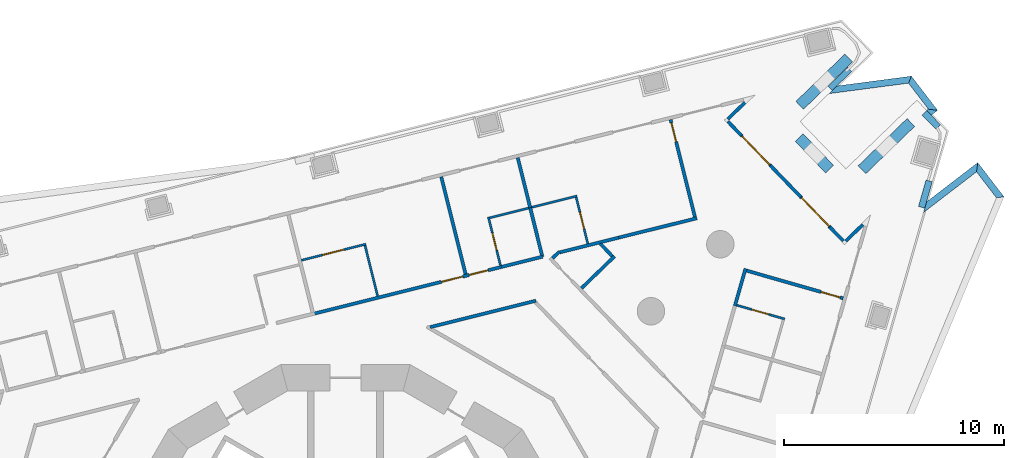
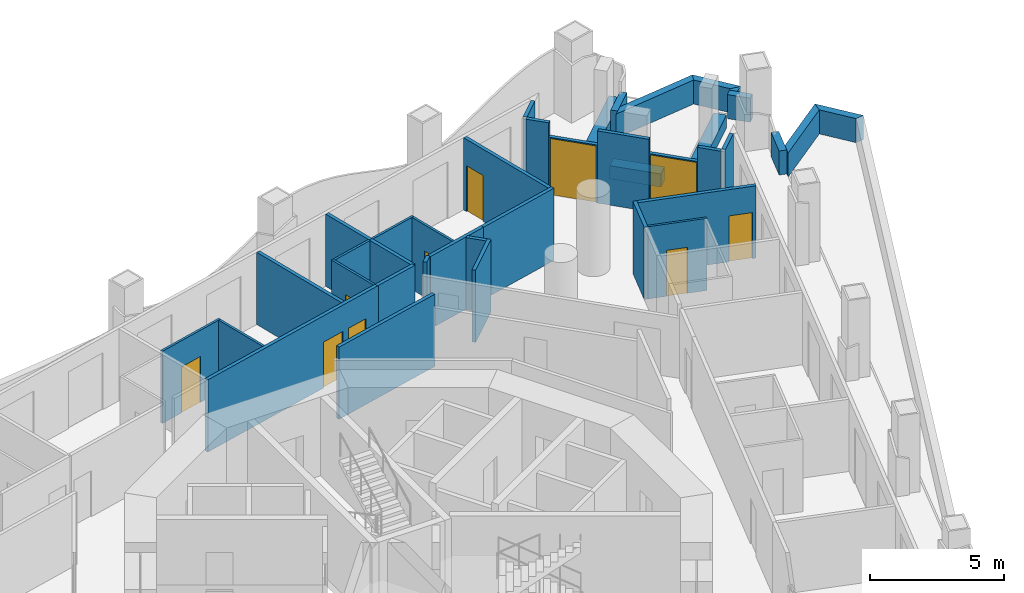
# One storey, part 10 of 19: 39 walls, 10 doors, 10 openings.
"""IFC4 building model written with IfcOpenShell, lengths in metres."""

import ifcopenshell
import ifcopenshell.guid

model = None  # the IFC model being written
_history = None  # IfcOwnerHistory: only IFC2X3 demands one
_inside = {}  # id of a spatial element -> (the spatial element, [elements in it])
_under = {}  # id of a project, library or spatial element -> (it, [spatial elements below it])
_declared = {}  # id of a project -> (the project, [libraries it declares])
_typed = {}  # id of a type object -> (the type object, [elements of that type])
_made_of = {}  # id of a material, layer set ... -> (it, [elements and type objects made of it])


def new_model(schema):
    """Start an empty IFC model of exactly this schema.

    Asked for "IFC4X3", IfcOpenShell would pick the latest addendum, in which some entities
    have other attributes; the version numbers below select the first issue.
    IFC2X3 requires an IfcOwnerHistory on every rooted entity: one is made here for all.
    """
    global model, _history
    if schema == "IFC4X3":
        model = ifcopenshell.file(schema_version=(4, 3, 0, 0))
    else:
        model = ifcopenshell.file(schema=schema)
    _inside.clear()
    _under.clear()
    _declared.clear()
    _typed.clear()
    _made_of.clear()
    _history = None
    if model.schema == "IFC2X3":
        org = make("IfcOrganization", Name="unknown")
        user = make(
            "IfcPersonAndOrganization",
            ThePerson=make("IfcPerson", FamilyName="unknown"),
            TheOrganization=org,
        )
        app = make(
            "IfcApplication",
            ApplicationDeveloper=org,
            Version="unknown",
            ApplicationFullName="unknown",
            ApplicationIdentifier="unknown",
        )
        _history = make(
            "IfcOwnerHistory",
            OwningUser=user,
            OwningApplication=app,
            ChangeAction="ADDED",
            CreationDate=0,
        )
    return model


def make(cls, **values):
    """One entity of the class cls with the attributes given. An attribute that is None is left unset."""
    return model.create_entity(
        cls, **{name: value for name, value in values.items() if value is not None}
    )


def rooted(cls, **values):
    """An entity with a GlobalId (a new one), such as an element, a storey or a relation."""
    return make(cls, GlobalId=ifcopenshell.guid.new(), OwnerHistory=_history, **values)


def si_unit(unit_type, name, prefix=None):
    """IfcSIUnit, for example si_unit("LENGTHUNIT", "METRE", prefix="MILLI")."""
    return make("IfcSIUnit", UnitType=unit_type, Prefix=prefix, Name=name)


def assignment(units):
    """IfcUnitAssignment: the units of a project."""
    return None if units is None else make("IfcUnitAssignment", Units=units)


def point(xyz):
    """IfcCartesianPoint."""
    return None if xyz is None else make("IfcCartesianPoint", Coordinates=xyz)


def direction(xyz):
    """IfcDirection."""
    return None if xyz is None else make("IfcDirection", DirectionRatios=xyz)


def frame(location, z_axis=None, x_axis=None):
    """IfcAxis2Placement3D, a coordinate frame: its origin and axes. An axis left out is left unset."""
    return make(
        "IfcAxis2Placement3D",
        Location=point(location),
        Axis=direction(z_axis),
        RefDirection=direction(x_axis),
    )


def frame_2d(location, x_axis=None):
    """IfcAxis2Placement2D, a coordinate frame in the plane: its origin and x axis."""
    return make(
        "IfcAxis2Placement2D", Location=point(location), RefDirection=direction(x_axis)
    )


def origin():
    """The frame at (0, 0, 0) with its axes left unset."""
    return frame((0.0, 0.0, 0.0))


def place(relative_to, where):
    """IfcLocalPlacement: puts the frame where relative to a parent placement (None: the world)."""
    return make(
        "IfcLocalPlacement", PlacementRelTo=relative_to, RelativePlacement=where
    )


def context(
    kind, dimensions, precision=None, world=None, true_north=None, identifier=None
):
    """IfcGeometricRepresentationContext, for example the 3D "Model" context."""
    return make(
        "IfcGeometricRepresentationContext",
        ContextIdentifier=identifier,
        ContextType=kind,
        CoordinateSpaceDimension=dimensions,
        Precision=precision,
        WorldCoordinateSystem=world,
        TrueNorth=true_north,
    )


def subcontext(parent, identifier, kind, view, scale=None):
    """IfcGeometricRepresentationSubContext, for example "Body" below "Model"."""
    return make(
        "IfcGeometricRepresentationSubContext",
        ContextIdentifier=identifier,
        ContextType=kind,
        ParentContext=parent,
        TargetScale=scale,
        TargetView=view,
    )


def project(units=None, contexts=None):
    """IfcProject with its units and contexts."""
    return rooted(
        "IfcProject",
        Name="project",
        RepresentationContexts=contexts,
        UnitsInContext=assignment(units),
    )


def spatial(cls, under=None, at=None, **own):
    """A site, building, storey or space (cls), placed at a placement, below another one or the project."""
    s = rooted(cls, ObjectPlacement=at, **own)
    if under is not None:
        _under.setdefault(under.id(), (under, []))[1].append(s)
    return s


def polyline(points):
    """IfcPolyline through the points."""
    return make("IfcPolyline", Points=[point(p) for p in points])


def profile(cls, at=None, kind="AREA", **sizes):
    """A parametric profile (cls). Its sizes go by their IFC names, for example OverallWidth=200.0."""
    return make(cls, ProfileType=kind, Position=at, **sizes)


def rectangle(**sizes):
    """IfcRectangleProfileDef."""
    return profile("IfcRectangleProfileDef", **sizes)


def outline(outer, holes=None, kind="AREA"):
    """IfcArbitraryClosedProfileDef: a profile drawn as a closed curve; with holes, ...WithVoids."""
    if holes is None:
        return make("IfcArbitraryClosedProfileDef", ProfileType=kind, OuterCurve=outer)
    return make(
        "IfcArbitraryProfileDefWithVoids",
        ProfileType=kind,
        OuterCurve=outer,
        InnerCurves=holes,
    )


def extrude(swept, where, along, depth):
    """IfcExtrudedAreaSolid: the profile swept, set in the frame where, extruded along a direction by depth."""
    return make(
        "IfcExtrudedAreaSolid",
        SweptArea=swept,
        Position=where,
        ExtrudedDirection=direction(along),
        Depth=depth,
    )


def shape(context_of_items, identifier, shape_type, items):
    """IfcShapeRepresentation: the items that make up one representation, for example the "Body"."""
    return make(
        "IfcShapeRepresentation",
        ContextOfItems=context_of_items,
        RepresentationIdentifier=identifier,
        RepresentationType=shape_type,
        Items=items,
    )


def material(Name=None, Category=None):
    """IfcMaterial."""
    return make("IfcMaterial", Name=Name, Category=Category)


def layer(
    of_material, thickness, ventilated=None, Name=None, Category=None, Priority=None
):
    """IfcMaterialLayer: one layer of a wall or slab, of a material (None: an air gap)."""
    return make(
        "IfcMaterialLayer",
        Material=of_material,
        LayerThickness=thickness,
        IsVentilated=ventilated,
        Name=Name,
        Category=Category,
        Priority=Priority,
    )


def layer_set(layers, Name=None):
    """IfcMaterialLayerSet."""
    return make("IfcMaterialLayerSet", MaterialLayers=layers, LayerSetName=Name)


def made_of(thing, what):
    """Note that an element or type object is made of a material, layer set ...; save() writes the relation."""
    if what is not None:
        _made_of.setdefault(what.id(), (what, []))[1].append(thing)
    return thing


def type_object(cls, material=None, **own):
    """A type object (cls), such as IfcWallType, which elements share."""
    return made_of(rooted(cls, **own), material)


def element(
    cls,
    number,
    at=None,
    inside=None,
    cuts=None,
    type_object=None,
    material=None,
    context=None,
    identifier="Body",
    shape_type=None,
    held_by="IfcProductDefinitionShape",
    body=None,
    shapes=None,
    **own,
):
    """One element of the class cls, such as IfcWall. Its Tag is "e" and its number.

    at: its placement. inside: the storey or other place that contains it. cuts: it is an
    opening in that element (IfcRelVoidsElement). A single representation is given by context,
    identifier, shape_type and body (its items); several are given by shapes. held_by: the class
    of the entity that holds the representations. save() writes the other relations.
    """
    e = rooted(cls, Tag="e%d" % number, ObjectPlacement=at, **own)
    if body is not None:
        shapes = [shape(context, identifier, shape_type, body)]
    if shapes is not None:
        e.Representation = make(held_by, Representations=shapes)
    if inside is not None:
        _inside.setdefault(inside.id(), (inside, []))[1].append(e)
    if cuts is not None:
        rooted(
            "IfcRelVoidsElement", RelatingBuildingElement=cuts, RelatedOpeningElement=e
        )
    if type_object is not None:
        _typed.setdefault(type_object.id(), (type_object, []))[1].append(e)
    return made_of(e, material)


def fill(opening, filler):
    """IfcRelFillsElement: the door or window that sits in an opening."""
    return rooted(
        "IfcRelFillsElement",
        RelatingOpeningElement=opening,
        RelatedBuildingElement=filler,
    )


def aggregate(whole, parts):
    """IfcRelAggregates: a whole, such as a stair, and the parts it consists of."""
    return rooted("IfcRelAggregates", RelatingObject=whole, RelatedObjects=parts)


def save(model, path):
    """Write the relations noted so far, then the file.

    IfcRelAggregates (storeys below a building ...), IfcRelContainedInSpatialStructure (elements
    in a storey), IfcRelDefinesByType, IfcRelAssociatesMaterial and IfcRelDeclares: one each for
    every whole, place, type object, material and project.
    """
    for whole, parts in _under.values():
        aggregate(whole, parts)
    for where, things in _inside.values():
        rooted(
            "IfcRelContainedInSpatialStructure",
            RelatedElements=things,
            RelatingStructure=where,
        )
    for kind, things in _typed.values():
        rooted("IfcRelDefinesByType", RelatedObjects=things, RelatingType=kind)
    for what, things in _made_of.values():
        rooted("IfcRelAssociatesMaterial", RelatedObjects=things, RelatingMaterial=what)
    for by, libraries in _declared.values():
        rooted("IfcRelDeclares", RelatingContext=by, RelatedDefinitions=libraries)
    model.write(path)


model = new_model("IFC4")

# Units and contexts
model_context = context("Model", 3, precision=1e-05, world=origin(), true_north=direction((0.0, 1.0)))
body_context = subcontext(model_context, "Body", "Model", "MODEL_VIEW")
ifc_project = project(units=[si_unit("LENGTHUNIT", "METRE"), si_unit("AREAUNIT", "SQUARE_METRE"), si_unit("VOLUMEUNIT", "CUBIC_METRE"), si_unit("PLANEANGLEUNIT", "RADIAN"), si_unit("MASSUNIT", "GRAM", prefix="KILO")], contexts=[model_context])

# Site, building, storey
site_placement = place(None, origin())
site = spatial("IfcSite", under=ifc_project, at=site_placement, CompositionType="ELEMENT")
building_placement = place(site_placement, origin())
building = spatial("IfcBuilding", under=site, at=building_placement, Name="Trine Commons Tower", CompositionType="ELEMENT")
storey_placement = place(building_placement, frame((0.0, 0.0, 87.300048828125)))
storey = spatial("IfcBuildingStorey", under=building, at=storey_placement, Name="L21", CompositionType="ELEMENT", Elevation=87.300048828125)

# Walls
ifc_material_1 = material(Name="Aluminium-framed insulated wall panel", Category="aluminium")
ifc_layer_1 = layer(ifc_material_1, 0.14990234375)
ifc_layer_set_1 = layer_set([ifc_layer_1], Name="Aluminium-framed insulated wall panel")
wall_type_1 = type_object("IfcWallType", Name="Glazed frame wall 150, EI 60", PredefinedType="SOLIDWALL", material=ifc_layer_set_1)
wall_1_placement = place(storey_placement, frame((98.3076171875, 85.552490234375, 0.0), z_axis=(0.0, 0.0, 1.0), x_axis=(-0.719251336278, -0.694749966004, 0.0)))
element("IfcWall", 1, at=wall_1_placement, inside=storey, type_object=wall_type_1, Name="Glazed frame wall R5", PredefinedType="SOLIDWALL", context=body_context, shape_type="SweptSolid", body=[
    extrude(outline(polyline([(0.1494140625, 0.074951171875), (0.1494140625, -0.074951171875), (1.235107421875, -0.074951171875), (1.235107421875, 0.074951171875), (0.1494140625, 0.074951171875)])), origin(), (0.0, 0.0, 1.0), 3.300048828125),
])
wall_2_placement = place(storey_placement, frame((97.3408203125, 84.66748046875, 0.0), z_axis=(0.0, 0.0, 1.0), x_axis=(0.694668587965, -0.719329933267, 0.0)))
element("IfcWall", 2, at=wall_2_placement, inside=storey, type_object=wall_type_1, Name="Glazed frame wall P2.1", PredefinedType="SOLIDWALL", context=body_context, shape_type="SweptSolid", body=[
    extrude(outline(polyline([(0.110107421875, -0.074951171875), (1.0, -0.074951171875), (1.0, 0.074951171875), (0.110107421875, 0.074951171875), (0.110107421875, -0.074951171875)])), origin(), (0.0, 0.0, 1.0), 3.300048828125),
])

# Wall, opening, door
wall_3_placement = place(storey_placement, frame((98.035400390625, 83.9482421875, 0.0), z_axis=(0.0, 0.0, 1.0), x_axis=(0.694665586762, -0.719332831566, 0.0)))
wall_3 = element("IfcWall", 3, at=wall_3_placement, inside=storey, type_object=wall_type_1, Name="Glazed frame wall P2.2", PredefinedType="SOLIDWALL", context=body_context, shape_type="SweptSolid", body=[
    extrude(outline(polyline([(0.0, -0.074951171875), (1.89990234375, -0.074951171875), (1.89990234375, 0.074951171875), (0.0, 0.074951171875), (0.0, -0.074951171875)])), origin(), (0.0, 0.0, 1.0), 2.64990234375),
])
opening_1_placement = place(wall_3_placement, frame((0.050048828125, 0.0, 0.0)))
opening_1 = element("IfcOpeningElement", 4, at=opening_1_placement, cuts=wall_3, Name="Opening BD-3P2-01", PredefinedType="OPENING", context=body_context, shape_type="SweptSolid", body=[
    extrude(rectangle(XDim=1.800048828125, YDim=2.60009765625, at=frame_2d((0.89990234375, 1.300048828125))), frame((0.0, 0.0849609375, 0.0), z_axis=(0.0, -1.0, 0.0), x_axis=(1.0, 0.0, 0.0)), (0.0, 0.0, 1.0), 0.169921875),
])
ifc_material_2 = material(Name="Anodised aluminium frame with double glazing", Category="aluminium")
door_type_1 = type_object("IfcDoorType", Name="Sliding loggia door 1800x2600", OperationType="SLIDING_TO_LEFT", PredefinedType="DOOR", material=ifc_material_2)
door_1_placement = place(opening_1_placement, origin())
door_1 = element("IfcDoor", 5, at=door_1_placement, inside=storey, type_object=door_type_1, Name="Loggia door P2 1", OperationType="SLIDING_TO_LEFT", OverallHeight=2.60009765625, OverallWidth=1.800048828125, PredefinedType="DOOR", context=body_context, shape_type="SweptSolid", body=[
    extrude(rectangle(XDim=1.800048828125, YDim=2.60009765625, at=frame_2d((0.89990234375, 1.300048828125))), frame((0.0, 0.02490234375, 0.0), z_axis=(0.0, -1.0, 0.0), x_axis=(1.0, 0.0, 0.0)), (0.0, 0.0, 1.0), 0.050048828125),
])
fill(opening_1, door_1)

# Wall
wall_4_placement = place(storey_placement, frame((99.35546875, 82.581298828125, 0.0), z_axis=(0.0, 0.0, 1.0), x_axis=(0.694668587965, -0.719329933267, 0.0)))
element("IfcWall", 6, at=wall_4_placement, inside=storey, type_object=wall_type_1, Name="Glazed frame wall P2.3", PredefinedType="SOLIDWALL", context=body_context, shape_type="SweptSolid", body=[
    extrude(outline(polyline([(0.0, -0.074951171875), (2.0, -0.074951171875), (2.0, 0.074951171875), (0.0, 0.074951171875), (0.0, -0.074951171875)])), origin(), (0.0, 0.0, 1.0), 3.300048828125),
])

# Wall, opening, door
wall_5_placement = place(storey_placement, frame((100.74462890625, 81.142822265625, 0.0), z_axis=(0.0, 0.0, 1.0), x_axis=(0.694599099672, -0.719397032753, 0.0)))
wall_5 = element("IfcWall", 7, at=wall_5_placement, inside=storey, type_object=wall_type_1, Name="Glazed frame wall P2.4", PredefinedType="SOLIDWALL", context=body_context, shape_type="SweptSolid", body=[
    extrude(outline(polyline([(0.0, -0.074951171875), (1.89990234375, -0.074951171875), (1.89990234375, 0.074951171875), (0.0, 0.074951171875), (0.0, -0.074951171875)])), origin(), (0.0, 0.0, 1.0), 2.64990234375),
])
opening_2_placement = place(wall_5_placement, frame((0.050048828125, 0.0, 0.0)))
opening_2 = element("IfcOpeningElement", 8, at=opening_2_placement, cuts=wall_5, Name="Opening BD-3P2-02", PredefinedType="OPENING", context=body_context, shape_type="SweptSolid", body=[
    extrude(rectangle(XDim=1.800048828125, YDim=2.60009765625, at=frame_2d((0.89990234375, 1.300048828125))), frame((0.0, 0.0849609375, 0.0), z_axis=(0.0, -1.0, 0.0), x_axis=(1.0, 0.0, 0.0)), (0.0, 0.0, 1.0), 0.169921875),
])
door_2_placement = place(opening_2_placement, origin())
door_2 = element("IfcDoor", 9, at=door_2_placement, inside=storey, type_object=door_type_1, Name="Loggia door P2 2", OperationType="SLIDING_TO_LEFT", OverallHeight=2.60009765625, OverallWidth=1.800048828125, PredefinedType="DOOR", context=body_context, shape_type="SweptSolid", body=[
    extrude(rectangle(XDim=1.800048828125, YDim=2.60009765625, at=frame_2d((0.89990234375, 1.300048828125))), frame((0.0, 0.02490234375, 0.0), z_axis=(0.0, -1.0, 0.0), x_axis=(1.0, 0.0, 0.0)), (0.0, 0.0, 1.0), 0.050048828125),
])
fill(opening_2, door_2)

# Walls
wall_6_placement = place(storey_placement, frame((102.064453125, 79.77587890625, 0.0), z_axis=(0.0, 0.0, 1.0), x_axis=(0.694794898962, -0.719207931252, 0.0)))
element("IfcWall", 10, at=wall_6_placement, inside=storey, type_object=wall_type_1, Name="Glazed frame wall P2.5", PredefinedType="SOLIDWALL", context=body_context, shape_type="SweptSolid", body=[
    extrude(outline(polyline([(0.889892578125, 0.074951171875), (0.0, 0.074951171875), (0.0, -0.074951171875), (0.889892578125, -0.074951171875), (0.889892578125, 0.074951171875)])), origin(), (0.0, 0.0, 1.0), 3.300048828125),
])
wall_7_placement = place(storey_placement, frame((102.709716796875, 79.0576171875, 0.0), z_axis=(0.0, 0.0, 1.0), x_axis=(0.719342032924, 0.694656058542, 0.0)))
element("IfcWall", 11, at=wall_7_placement, inside=storey, type_object=wall_type_1, Name="Glazed frame wall R7", PredefinedType="SOLIDWALL", context=body_context, shape_type="SweptSolid", body=[
    extrude(outline(polyline([(0.110107421875, 0.074951171875), (0.110107421875, -0.074951171875), (1.19580078125, -0.074951171875), (1.19580078125, 0.074951171875), (0.110107421875, 0.074951171875)])), origin(), (0.0, 0.0, 1.0), 3.300048828125),
])
ifc_material_3 = material(Name="Planter trough, precast concrete C40/50", Category="concrete")
ifc_layer_2 = layer(ifc_material_3, 0.5)
ifc_layer_set_2 = layer_set([ifc_layer_2], Name="Planter trough, precast concrete C40/50")
wall_type_2 = type_object("IfcWallType", Name="Planter trough 500x600", PredefinedType="PARAPET", material=ifc_layer_set_2)
wall_8_placement = place(storey_placement, frame((102.923828125, 87.47314453125, 0.0), z_axis=(0.0, 0.0, 1.0), x_axis=(-0.719324109218, -0.694674618723, 0.0)))
element("IfcWall", 12, at=wall_8_placement, inside=storey, type_object=wall_type_2, Name="Planter 4", PredefinedType="PARAPET", context=body_context, shape_type="SweptSolid", body=[
    extrude(rectangle(XDim=3.10009765625, YDim=0.5, at=frame_2d((1.550048828125, 0.0))), origin(), (0.0, 0.0, 1.0), 0.599853515625),
])
wall_9_placement = place(storey_placement, frame((100.668212890625, 83.84912109375, 0.0), z_axis=(0.0, 0.0, 1.0), x_axis=(0.694731751498, -0.719268929859, 0.0)))
element("IfcWall", 13, at=wall_9_placement, inside=storey, type_object=wall_type_2, Name="Planter 5", PredefinedType="PARAPET", context=body_context, shape_type="SweptSolid", body=[
    extrude(rectangle(XDim=2.0, YDim=0.5, at=frame_2d((1.0, 0.0))), origin(), (0.0, 0.0, 1.0), 0.599853515625),
])
wall_10_placement = place(storey_placement, frame((103.528076171875, 82.385009765625, 0.0), z_axis=(0.0, 0.0, 1.0), x_axis=(0.719363462475, 0.694633866765, 0.0)))
element("IfcWall", 14, at=wall_10_placement, inside=storey, type_object=wall_type_2, Name="Planter 6", PredefinedType="PARAPET", context=body_context, shape_type="SweptSolid", body=[
    extrude(rectangle(XDim=3.099853515625, YDim=0.5, at=frame_2d((1.5498046875, 0.0))), origin(), (0.0, 0.0, 1.0), 0.599853515625),
])
ifc_material_4 = material(Name="Limestone, honed", Category="masonry")
ifc_layer_3 = layer(ifc_material_4, 0.300048828125)
ifc_layer_set_3 = layer_set([ifc_layer_3], Name="Limestone, honed")
wall_type_3 = type_object("IfcWallType", Name="Stone parapet 300", PredefinedType="PARAPET", material=ifc_layer_set_3)
wall_11_placement = place(storey_placement, origin())
element("IfcWall", 15, at=wall_11_placement, inside=storey, type_object=wall_type_3, Name="Sliver roof parapet L20 5.1", PredefinedType="PARAPET", context=body_context, shape_type="SweptSolid", body=[
    extrude(outline(polyline([(106.68896484375, 84.869873046875), (106.97607421875, 85.090087890625), (106.555419921875, 85.1455078125), (106.479248046875, 85.087158203125), (106.68896484375, 84.869873046875)])), origin(), (0.0, 0.0, 1.0), 1.099853515625),
])
wall_12_placement = place(storey_placement, origin())
element("IfcWall", 16, at=wall_12_placement, inside=storey, type_object=wall_type_3, Name="Sliver roof parapet L20 5.2", PredefinedType="PARAPET", context=body_context, shape_type="SweptSolid", body=[
    extrude(outline(polyline([(106.97607421875, 85.090087890625), (105.780517578125, 86.6484375), (105.647705078125, 86.328369140625), (106.555419921875, 85.1455078125), (106.97607421875, 85.090087890625)])), origin(), (0.0, 0.0, 1.0), 1.099853515625),
])
wall_13_placement = place(storey_placement, origin())
element("IfcWall", 17, at=wall_13_placement, inside=storey, type_object=wall_type_3, Name="Sliver roof parapet L20 5.3", PredefinedType="PARAPET", context=body_context, shape_type="SweptSolid", body=[
    extrude(outline(polyline([(105.780517578125, 86.6484375), (102.384033203125, 86.201171875), (102.021240234375, 85.850830078125), (105.647705078125, 86.328369140625), (105.780517578125, 86.6484375)])), origin(), (0.0, 0.0, 1.0), 1.099853515625),
])
wall_14_placement = place(storey_placement, origin())
element("IfcWall", 18, at=wall_14_placement, inside=storey, type_object=wall_type_3, Name="Sliver roof parapet extension L20 5.X1", PredefinedType="PARAPET", context=body_context, shape_type="SweptSolid", body=[
    extrude(outline(polyline([(106.889892578125, 84.22998046875), (107.105712890625, 84.438232421875), (106.480712890625, 85.085693359375), (106.264892578125, 84.877197265625), (106.889892578125, 84.22998046875)])), origin(), (0.0, 0.0, 1.0), 1.099853515625),
])
wall_15_placement = place(storey_placement, origin())
element("IfcWall", 19, at=wall_15_placement, inside=storey, type_object=wall_type_3, Name="Sliver roof parapet extension L20 5.X2", PredefinedType="PARAPET", context=body_context, shape_type="SweptSolid", body=[
    extrude(outline(polyline([(103.0673828125, 86.861083984375), (102.8798828125, 87.055419921875), (101.980712890625, 86.18701171875), (102.168212890625, 85.992919921875), (102.77734375, 86.5810546875), (103.0673828125, 86.861083984375)])), origin(), (0.0, 0.0, 1.0), 1.099853515625),
])
wall_16_placement = place(storey_placement, origin())
element("IfcWall", 20, at=wall_16_placement, inside=storey, type_object=wall_type_3, Name="Sliver roof parapet L20 6.2", PredefinedType="PARAPET", context=body_context, shape_type="SweptSolid", body=[
    extrude(outline(polyline([(109.998046875, 81.15185546875), (108.80224609375, 82.710205078125), (108.746826171875, 82.28955078125), (109.654541015625, 81.106689453125), (109.998046875, 81.15185546875)])), origin(), (0.0, 0.0, 1.0), 1.099853515625),
])
wall_17_placement = place(storey_placement, origin())
element("IfcWall", 21, at=wall_17_placement, inside=storey, type_object=wall_type_3, Name="Sliver roof parapet L20 6.3", PredefinedType="PARAPET", context=body_context, shape_type="SweptSolid", body=[
    extrude(outline(polyline([(108.80224609375, 82.710205078125), (106.47216796875, 80.922119140625), (106.333251953125, 80.4375), (108.746826171875, 82.28955078125), (108.80224609375, 82.710205078125)])), origin(), (0.0, 0.0, 1.0), 1.099853515625),
])
wall_18_placement = place(storey_placement, origin())
element("IfcWall", 22, at=wall_18_placement, inside=storey, type_object=wall_type_3, Name="Sliver roof parapet extension L20 6.X2", PredefinedType="PARAPET", context=body_context, shape_type="SweptSolid", body=[
    extrude(outline(polyline([(106.734130859375, 81.83544921875), (106.44580078125, 81.918212890625), (106.101318359375, 80.716552734375), (106.3896484375, 80.6337890625), (106.626708984375, 81.46044921875), (106.734130859375, 81.83544921875)])), origin(), (0.0, 0.0, 1.0), 1.099853515625),
])

# Wall, openings, doors
ifc_material_5 = material(Name="Gypsum plasterboard on steel stud", Category="steel")
ifc_layer_4 = layer(ifc_material_5, 0.14990234375)
ifc_layer_set_4 = layer_set([ifc_layer_4], Name="Gypsum plasterboard on steel stud")
wall_type_4 = type_object("IfcWallType", Name="Unit and corridor wall 150 mm, EI 60", PredefinedType="PARTITIONING", material=ifc_layer_set_4)
wall_19_placement = place(storey_placement, frame((78.52392578125, 75.820068359375, 0.0), z_axis=(0.0, 0.0, 1.0), x_axis=(0.970312206825, 0.241855786133, 0.0)))
wall_19 = element("IfcWall", 23, at=wall_19_placement, inside=storey, type_object=wall_type_4, Name="Partition 063", PredefinedType="PARTITIONING", context=body_context, shape_type="SweptSolid", body=[
    extrude(rectangle(XDim=8.873046875, YDim=0.14990234375, at=frame_2d((4.4365234375, 0.0))), origin(), (0.0, 0.0, 1.0), 3.300048828125),
])
opening_3_placement = place(wall_19_placement, frame((6.0302734375, 0.0, 0.0)))
opening_3 = element("IfcOpeningElement", 24, at=opening_3_placement, cuts=wall_19, Name="Opening D-3A12", PredefinedType="OPENING", context=body_context, shape_type="SweptSolid", body=[
    extrude(rectangle(XDim=1.0, YDim=2.10009765625, at=frame_2d((0.5, 1.050048828125))), frame((0.0, 0.0849609375, 0.0), z_axis=(0.0, -1.0, 0.0), x_axis=(1.0, 0.0, 0.0)), (0.0, 0.0, 1.0), 0.169921875),
])
opening_4_placement = place(wall_19_placement, frame((7.330322265625, 0.0, 0.0)))
opening_4 = element("IfcOpeningElement", 25, at=opening_4_placement, cuts=wall_19, Name="Opening D-3A13", PredefinedType="OPENING", context=body_context, shape_type="SweptSolid", body=[
    extrude(rectangle(XDim=0.89990234375, YDim=2.10009765625, at=frame_2d((0.449951171875, 1.050048828125))), frame((0.0, 0.0849609375, 0.0), z_axis=(0.0, -1.0, 0.0), x_axis=(1.0, 0.0, 0.0)), (0.0, 0.0, 1.0), 0.169921875),
])
ifc_material_6 = material(Name="Timber fire door set", Category="wood")
door_type_2 = type_object("IfcDoorType", Name="Bedroom door 1000 x 2100, FD30S", OperationType="NOTDEFINED", PredefinedType="DOOR", material=ifc_material_6)
door_3_placement = place(opening_3_placement, origin())
door_3 = element("IfcDoor", 26, at=door_3_placement, inside=storey, type_object=door_type_2, Name="Door D-3A12", OperationType="SINGLE_SWING_RIGHT", OverallHeight=2.10009765625, OverallWidth=1.0, PredefinedType="DOOR", context=body_context, shape_type="SweptSolid", body=[
    extrude(rectangle(XDim=1.0, YDim=2.10009765625, at=frame_2d((0.5, 1.050048828125))), frame((0.0, 0.02490234375, 0.0), z_axis=(0.0, -1.0, 0.0), x_axis=(1.0, 0.0, 0.0)), (0.0, 0.0, 1.0), 0.050048828125),
])
fill(opening_3, door_3)
door_type_3 = type_object("IfcDoorType", Name="Bedroom door 900 x 2100, FD30S", OperationType="NOTDEFINED", PredefinedType="DOOR", material=ifc_material_6)
door_4_placement = place(opening_4_placement, origin())
door_4 = element("IfcDoor", 27, at=door_4_placement, inside=storey, type_object=door_type_3, Name="Door D-3A13", OperationType="SINGLE_SWING_RIGHT", OverallHeight=2.10009765625, OverallWidth=0.89990234375, PredefinedType="DOOR", context=body_context, shape_type="SweptSolid", body=[
    extrude(rectangle(XDim=0.89990234375, YDim=2.10009765625, at=frame_2d((0.449951171875, 1.050048828125))), frame((0.0, 0.02490234375, 0.0), z_axis=(0.0, -1.0, 0.0), x_axis=(1.0, 0.0, 0.0)), (0.0, 0.0, 1.0), 0.050048828125),
])
fill(opening_4, door_4)

# Walls
wall_20_placement = place(storey_placement, frame((83.852783203125, 75.216064453125, 0.0), z_axis=(0.0, 0.0, 1.0), x_axis=(0.970312588938, 0.241854253112, 0.0)))
element("IfcWall", 28, at=wall_20_placement, inside=storey, type_object=wall_type_4, Name="Partition 075", PredefinedType="PARTITIONING", context=body_context, shape_type="SweptSolid", body=[
    extrude(rectangle(XDim=4.974609375, YDim=0.14990234375, at=frame_2d((2.4873046875, 0.0))), origin(), (0.0, 0.0, 1.0), 3.300048828125),
])
wall_21_placement = place(storey_placement, frame((84.36669921875, 82.066162109375, 0.0), z_axis=(0.0, 0.0, 1.0), x_axis=(0.241945064156, -0.970289949412, 0.0)))
element("IfcWall", 29, at=wall_21_placement, inside=storey, type_object=wall_type_4, Name="Partition 078", PredefinedType="PARTITIONING", context=body_context, shape_type="SweptSolid", body=[
    extrude(rectangle(XDim=4.572021484375, YDim=0.14990234375, at=frame_2d((2.2861328125, 0.0))), origin(), (0.0, 0.0, 1.0), 3.300048828125),
])
wall_22_placement = place(storey_placement, frame((87.10302734375, 77.958984375, 0.0), z_axis=(0.0, 0.0, 1.0), x_axis=(0.970439241323, 0.241345559105, 0.0)))
element("IfcWall", 30, at=wall_22_placement, inside=storey, type_object=wall_type_4, Name="Partition 082", PredefinedType="PARTITIONING", context=body_context, shape_type="SweptSolid", body=[
    extrude(rectangle(XDim=1.93115234375, YDim=0.14990234375, at=frame_2d((0.965576171875, 0.0))), origin(), (0.0, 0.0, 1.0), 3.300048828125),
])
wall_23_placement = place(storey_placement, frame((87.8486328125, 82.93408203125, 0.0), z_axis=(0.0, 0.0, 1.0), x_axis=(0.241776709291, -0.970331913751, 0.0)))
element("IfcWall", 31, at=wall_23_placement, inside=storey, type_object=wall_type_4, Name="Partition 089", PredefinedType="PARTITIONING", context=body_context, shape_type="SweptSolid", body=[
    extrude(rectangle(XDim=2.3466796875, YDim=0.14990234375, at=frame_2d((1.17333984375, 0.0))), origin(), (0.0, 0.0, 1.0), 3.300048828125),
])
wall_24_placement = place(storey_placement, frame((88.416015625, 80.656982421875, 0.0), z_axis=(0.0, 0.0, 1.0), x_axis=(0.242086100608, -0.97025477061, 0.0)))
element("IfcWall", 32, at=wall_24_placement, inside=storey, type_object=wall_type_4, Name="Partition 091", PredefinedType="PARTITIONING", context=body_context, shape_type="SweptSolid", body=[
    extrude(rectangle(XDim=2.30029296875, YDim=0.14990234375, at=frame_2d((1.150146484375, 0.0))), origin(), (0.0, 0.0, 1.0), 3.300048828125),
])
wall_25_placement = place(storey_placement, frame((89.431884765625, 78.354248046875, 0.0), z_axis=(0.0, 0.0, 1.0), x_axis=(0.71857486408, 0.695449613352, 0.0)))
element("IfcWall", 33, at=wall_25_placement, inside=storey, type_object=wall_type_4, Name="Partition 099", PredefinedType="PARTITIONING", context=body_context, shape_type="SweptSolid", body=[
    extrude(rectangle(XDim=0.432861328125, YDim=0.14990234375, at=frame_2d((0.21630859375, 0.0))), origin(), (0.0, 0.0, 1.0), 3.300048828125),
])
wall_26_placement = place(storey_placement, frame((89.76171875, 78.62109375, 0.0), z_axis=(0.0, 0.0, 1.0), x_axis=(0.970245917946, 0.242121578363, 0.0)))
element("IfcWall", 34, at=wall_26_placement, inside=storey, type_object=wall_type_4, Name="Partition 102", PredefinedType="PARTITIONING", context=body_context, shape_type="SweptSolid", body=[
    extrude(rectangle(XDim=2.77490234375, YDim=0.14990234375, at=frame_2d((1.387451171875, 0.0))), origin(), (0.0, 0.0, 1.0), 3.300048828125),
])
wall_27_placement = place(storey_placement, frame((90.751953125, 76.987060546875, 0.0), z_axis=(0.0, 0.0, 1.0), x_axis=(0.719152982376, 0.694851774079, 0.0)))
element("IfcWall", 35, at=wall_27_placement, inside=storey, type_object=wall_type_4, Name="Partition 106", PredefinedType="PARTITIONING", context=body_context, shape_type="SweptSolid", body=[
    extrude(rectangle(XDim=2.099609375, YDim=0.14990234375, at=frame_2d((1.0498046875, 0.0))), origin(), (0.0, 0.0, 1.0), 3.300048828125),
])
wall_28_placement = place(storey_placement, frame((91.608154296875, 79.01513671875, 0.0), z_axis=(0.0, 0.0, 1.0), x_axis=(0.694771305492, -0.71923072311, 0.0)))
element("IfcWall", 36, at=wall_28_placement, inside=storey, type_object=wall_type_4, Name="Partition 109", PredefinedType="PARTITIONING", context=body_context, shape_type="SweptSolid", body=[
    extrude(rectangle(XDim=0.78857421875, YDim=0.14990234375, at=frame_2d((0.394287109375, 0.0))), origin(), (0.0, 0.0, 1.0), 3.300048828125),
])
wall_29_placement = place(storey_placement, frame((92.4541015625, 79.29296875, 0.0), z_axis=(0.0, 0.0, 1.0), x_axis=(0.970299100739, 0.241908360967, 0.0)))
element("IfcWall", 37, at=wall_29_placement, inside=storey, type_object=wall_type_4, Name="Partition 113", PredefinedType="PARTITIONING", context=body_context, shape_type="SweptSolid", body=[
    extrude(rectangle(XDim=3.66357421875, YDim=0.14990234375, at=frame_2d((1.831787109375, 0.0))), origin(), (0.0, 0.0, 1.0), 3.300048828125),
])

# Wall, opening, door
wall_30_placement = place(storey_placement, frame((94.811767578125, 84.671142578125, 0.0), z_axis=(0.0, 0.0, 1.0), x_axis=(0.241894932299, -0.970302448584, 0.0)))
wall_30 = element("IfcWall", 38, at=wall_30_placement, inside=storey, type_object=wall_type_4, Name="Partition 118", PredefinedType="PARTITIONING", context=body_context, shape_type="SweptSolid", body=[
    extrude(rectangle(XDim=4.572998046875, YDim=0.14990234375, at=frame_2d((2.28662109375, 0.0))), origin(), (0.0, 0.0, 1.0), 3.300048828125),
])
opening_5_placement = place(wall_30_placement, frame((0.14990234375, 0.0, 0.0)))
opening_5 = element("IfcOpeningElement", 39, at=opening_5_placement, cuts=wall_30, Name="Opening D-3A14", PredefinedType="OPENING", context=body_context, shape_type="SweptSolid", body=[
    extrude(rectangle(XDim=0.89990234375, YDim=2.10009765625, at=frame_2d((0.449951171875, 1.050048828125))), frame((0.0, 0.0849609375, 0.0), z_axis=(0.0, -1.0, 0.0), x_axis=(1.0, 0.0, 0.0)), (0.0, 0.0, 1.0), 0.169921875),
])
door_5_placement = place(opening_5_placement, frame((0.89990234375, 0.0, 0.0), z_axis=(0.0, 0.0, 1.0), x_axis=(-1.0, 0.0, 0.0)))
door_5 = element("IfcDoor", 40, at=door_5_placement, inside=storey, type_object=door_type_3, Name="Door D-3A14", OperationType="SINGLE_SWING_RIGHT", OverallHeight=2.10009765625, OverallWidth=0.89990234375, PredefinedType="DOOR", context=body_context, shape_type="SweptSolid", body=[
    extrude(rectangle(XDim=0.89990234375, YDim=2.10009765625, at=frame_2d((0.449951171875, 1.050048828125))), frame((0.0, 0.02490234375, 0.0), z_axis=(0.0, -1.0, 0.0), x_axis=(1.0, 0.0, 0.0)), (0.0, 0.0, 1.0), 0.050048828125),
])
fill(opening_5, door_5)

# Wall
wall_31_placement = place(storey_placement, frame((97.7392578125, 76.183837890625, 0.0), z_axis=(0.0, 0.0, 1.0), x_axis=(0.275943660428, 0.961173811685, 0.0)))
element("IfcWall", 41, at=wall_31_placement, inside=storey, type_object=wall_type_4, Name="Partition 128", PredefinedType="PARTITIONING", context=body_context, shape_type="SweptSolid", body=[
    extrude(rectangle(XDim=1.766845703125, YDim=0.14990234375, at=frame_2d((0.88330078125, 0.0))), origin(), (0.0, 0.0, 1.0), 3.300048828125),
])

# Wall, opening, door
wall_32_placement = place(storey_placement, frame((98.278076171875, 77.789306640625, 0.0), z_axis=(0.0, 0.0, 1.0), x_axis=(0.961269673231, -0.275609534171, 0.0)))
wall_32 = element("IfcWall", 42, at=wall_32_placement, inside=storey, type_object=wall_type_4, Name="Partition 130", PredefinedType="PARTITIONING", context=body_context, shape_type="SweptSolid", body=[
    extrude(rectangle(XDim=4.572509765625, YDim=0.14990234375, at=frame_2d((2.2861328125, 0.0))), origin(), (0.0, 0.0, 1.0), 3.300048828125),
])
opening_6_placement = place(wall_32_placement, frame((3.522705078125, 0.0, 0.0)))
opening_6 = element("IfcOpeningElement", 43, at=opening_6_placement, cuts=wall_32, Name="Opening D-3A15", PredefinedType="OPENING", context=body_context, shape_type="SweptSolid", body=[
    extrude(rectangle(XDim=0.89990234375, YDim=2.10009765625, at=frame_2d((0.449951171875, 1.050048828125))), frame((0.0, 0.0849609375, 0.0), z_axis=(0.0, -1.0, 0.0), x_axis=(1.0, 0.0, 0.0)), (0.0, 0.0, 1.0), 0.169921875),
])
door_6_placement = place(opening_6_placement, frame((0.89990234375, 0.0, 0.0), z_axis=(0.0, 0.0, 1.0), x_axis=(-1.0, 0.0, 0.0)))
door_6 = element("IfcDoor", 44, at=door_6_placement, inside=storey, type_object=door_type_3, Name="Door D-3A15", OperationType="SINGLE_SWING_LEFT", OverallHeight=2.10009765625, OverallWidth=0.89990234375, PredefinedType="DOOR", context=body_context, shape_type="SweptSolid", body=[
    extrude(rectangle(XDim=0.89990234375, YDim=2.10009765625, at=frame_2d((0.449951171875, 1.050048828125))), frame((0.0, 0.02490234375, 0.0), z_axis=(0.0, -1.0, 0.0), x_axis=(1.0, 0.0, 0.0)), (0.0, 0.0, 1.0), 0.050048828125),
])
fill(opening_6, door_6)

ifc_layer_5 = layer(ifc_material_5, 0.10009765625)
ifc_layer_set_5 = layer_set([ifc_layer_5], Name="Gypsum plasterboard on steel stud")
wall_type_5 = type_object("IfcWallType", Name="Unit partition 100 mm, no rating", PredefinedType="PARTITIONING", material=ifc_layer_set_5)
wall_33_placement = place(storey_placement, frame((77.995849609375, 78.26416015625, 0.0), z_axis=(0.0, 0.0, 1.0), x_axis=(0.970294209092, 0.24192798061, 0.0)))
wall_33 = element("IfcWall", 45, at=wall_33_placement, inside=storey, type_object=wall_type_5, Name="Partition 061", PredefinedType="PARTITIONING", context=body_context, shape_type="SweptSolid", body=[
    extrude(rectangle(XDim=3.025390625, YDim=0.10009765625, at=frame_2d((1.5126953125, 0.0))), origin(), (0.0, 0.0, 1.0), 3.300048828125),
])
opening_7_placement = place(wall_33_placement, frame((0.98779296875, 0.0, 0.0)))
opening_7 = element("IfcOpeningElement", 46, at=opening_7_placement, cuts=wall_33, Name="Opening D-3A41", PredefinedType="OPENING", context=body_context, shape_type="SweptSolid", body=[
    extrude(rectangle(XDim=1.0, YDim=2.10009765625, at=frame_2d((0.5, 1.050048828125))), frame((0.0, 0.06005859375, 0.0), z_axis=(0.0, -1.0, 0.0), x_axis=(1.0, 0.0, 0.0)), (0.0, 0.0, 1.0), 0.1201171875),
])
ifc_material_7 = material(Name="Painted timber", Category="wood")
door_type_4 = type_object("IfcDoorType", Name="Internal door 1000 x 2100, NOT RATED", OperationType="NOTDEFINED", PredefinedType="DOOR", material=ifc_material_7)
door_7_placement = place(opening_7_placement, origin())
door_7 = element("IfcDoor", 47, at=door_7_placement, inside=storey, type_object=door_type_4, Name="Door D-3A41", OperationType="SINGLE_SWING_LEFT", OverallHeight=2.10009765625, OverallWidth=1.0, PredefinedType="DOOR", context=body_context, shape_type="SweptSolid", body=[
    extrude(rectangle(XDim=1.0, YDim=2.10009765625, at=frame_2d((0.5, 1.050048828125))), frame((0.0, 0.02490234375, 0.0), z_axis=(0.0, -1.0, 0.0), x_axis=(1.0, 0.0, 0.0)), (0.0, 0.0, 1.0), 0.050048828125),
])
fill(opening_7, door_7)

# Wall
wall_34_placement = place(storey_placement, frame((80.89501953125, 78.935546875, 0.0), z_axis=(0.0, 0.0, 1.0), x_axis=(0.241664815679, -0.970359787328, 0.0)))
element("IfcWall", 48, at=wall_34_placement, inside=storey, type_object=wall_type_5, Name="Partition 068", PredefinedType="PARTITIONING", context=body_context, shape_type="SweptSolid", body=[
    extrude(rectangle(XDim=2.375, YDim=0.10009765625, at=frame_2d((1.1875, 0.0))), origin(), (0.0, 0.0, 1.0), 3.300048828125),
])

# Wall, opening, door
wall_35_placement = place(storey_placement, frame((86.511962890625, 80.2333984375, 0.0), z_axis=(0.0, 0.0, 1.0), x_axis=(0.242081128221, -0.970256011246, 0.0)))
wall_35 = element("IfcWall", 49, at=wall_35_placement, inside=storey, type_object=wall_type_5, Name="Partition 080", PredefinedType="PARTITIONING", context=body_context, shape_type="SweptSolid", body=[
    extrude(rectangle(XDim=2.275146484375, YDim=0.10009765625, at=frame_2d((1.1376953125, 0.0))), origin(), (0.0, 0.0, 1.0), 3.300048828125),
])
opening_8_placement = place(wall_35_placement, frame((0.7626953125, 0.0, 0.0)))
opening_8 = element("IfcOpeningElement", 50, at=opening_8_placement, cuts=wall_35, Name="Opening D-3A42", PredefinedType="OPENING", context=body_context, shape_type="SweptSolid", body=[
    extrude(rectangle(XDim=0.800048828125, YDim=2.10009765625, at=frame_2d((0.39990234375, 1.050048828125))), frame((0.0, 0.06005859375, 0.0), z_axis=(0.0, -1.0, 0.0), x_axis=(1.0, 0.0, 0.0)), (0.0, 0.0, 1.0), 0.1201171875),
])
door_type_5 = type_object("IfcDoorType", Name="Internal door 800 x 2100, NOT RATED", OperationType="NOTDEFINED", PredefinedType="DOOR", material=ifc_material_7)
door_8_placement = place(opening_8_placement, frame((0.800048828125, 0.0, 0.0), z_axis=(0.0, 0.0, 1.0), x_axis=(-1.0, 0.0, 0.0)))
door_8 = element("IfcDoor", 51, at=door_8_placement, inside=storey, type_object=door_type_5, Name="Door D-3A42", OperationType="SINGLE_SWING_LEFT", OverallHeight=2.10009765625, OverallWidth=0.800048828125, PredefinedType="DOOR", context=body_context, shape_type="SweptSolid", body=[
    extrude(rectangle(XDim=0.800048828125, YDim=2.10009765625, at=frame_2d((0.39990234375, 1.050048828125))), frame((0.0, 0.02490234375, 0.0), z_axis=(0.0, -1.0, 0.0), x_axis=(1.0, 0.0, 0.0)), (0.0, 0.0, 1.0), 0.050048828125),
])
fill(opening_8, door_8)

# Walls
wall_36_placement = place(storey_placement, frame((86.572509765625, 80.197021484375, 0.0), z_axis=(0.0, 0.0, 1.0), x_axis=(0.970244709708, 0.242126420043, 0.0)))
element("IfcWall", 52, at=wall_36_placement, inside=storey, type_object=wall_type_5, Name="Partition 081", PredefinedType="PARTITIONING", context=body_context, shape_type="SweptSolid", body=[
    extrude(rectangle(XDim=1.824951171875, YDim=0.10009765625, at=frame_2d((0.91259765625, 0.0))), origin(), (0.0, 0.0, 1.0), 3.300048828125),
])
wall_37_placement = place(storey_placement, frame((88.48876953125, 80.675048828125, 0.0), z_axis=(0.0, 0.0, 1.0), x_axis=(0.970311152165, 0.241860017334, 0.0)))
element("IfcWall", 53, at=wall_37_placement, inside=storey, type_object=wall_type_5, Name="Partition 092", PredefinedType="PARTITIONING", context=body_context, shape_type="SweptSolid", body=[
    extrude(rectangle(XDim=2.1259765625, YDim=0.10009765625, at=frame_2d((1.06298828125, 0.0))), origin(), (0.0, 0.0, 1.0), 3.300048828125),
])

# Wall, opening, door
wall_38_placement = place(storey_placement, frame((90.51513671875, 81.12841796875, 0.0), z_axis=(0.0, 0.0, 1.0), x_axis=(0.241769661622, -0.970333669786, 0.0)))
wall_38 = element("IfcWall", 54, at=wall_38_placement, inside=storey, type_object=wall_type_5, Name="Partition 105", PredefinedType="PARTITIONING", context=body_context, shape_type="SweptSolid", body=[
    extrude(rectangle(XDim=2.175048828125, YDim=0.10009765625, at=frame_2d((1.08740234375, 0.0))), origin(), (0.0, 0.0, 1.0), 3.300048828125),
])
opening_9_placement = place(wall_38_placement, frame((0.6875, 0.0, 0.0)))
opening_9 = element("IfcOpeningElement", 55, at=opening_9_placement, cuts=wall_38, Name="Opening D-3A43", PredefinedType="OPENING", context=body_context, shape_type="SweptSolid", body=[
    extrude(rectangle(XDim=0.800048828125, YDim=2.10009765625, at=frame_2d((0.39990234375, 1.050048828125))), frame((0.0, 0.06005859375, 0.0), z_axis=(0.0, -1.0, 0.0), x_axis=(1.0, 0.0, 0.0)), (0.0, 0.0, 1.0), 0.1201171875),
])
door_9_placement = place(opening_9_placement, origin())
door_9 = element("IfcDoor", 56, at=door_9_placement, inside=storey, type_object=door_type_5, Name="Door D-3A43", OperationType="SINGLE_SWING_RIGHT", OverallHeight=2.10009765625, OverallWidth=0.800048828125, PredefinedType="DOOR", context=body_context, shape_type="SweptSolid", body=[
    extrude(rectangle(XDim=0.800048828125, YDim=2.10009765625, at=frame_2d((0.39990234375, 1.050048828125))), frame((0.0, 0.02490234375, 0.0), z_axis=(0.0, -1.0, 0.0), x_axis=(1.0, 0.0, 0.0)), (0.0, 0.0, 1.0), 0.050048828125),
])
fill(opening_9, door_9)

wall_39_placement = place(storey_placement, frame((97.8271484375, 76.21435546875, 0.0), z_axis=(0.0, 0.0, 1.0), x_axis=(0.961252175385, -0.275670555767, 0.0)))
wall_39 = element("IfcWall", 57, at=wall_39_placement, inside=storey, type_object=wall_type_5, Name="Partition 129", PredefinedType="PARTITIONING", context=body_context, shape_type="SweptSolid", body=[
    extrude(rectangle(XDim=2.275146484375, YDim=0.10009765625, at=frame_2d((1.1376953125, 0.0))), origin(), (0.0, 0.0, 1.0), 3.300048828125),
])
opening_10_placement = place(wall_39_placement, frame((0.71240234375, 0.0, 0.0)))
opening_10 = element("IfcOpeningElement", 58, at=opening_10_placement, cuts=wall_39, Name="Opening D-3A44", PredefinedType="OPENING", context=body_context, shape_type="SweptSolid", body=[
    extrude(rectangle(XDim=0.800048828125, YDim=2.10009765625, at=frame_2d((0.39990234375, 1.050048828125))), frame((0.0, 0.06005859375, 0.0), z_axis=(0.0, -1.0, 0.0), x_axis=(1.0, 0.0, 0.0)), (0.0, 0.0, 1.0), 0.1201171875),
])
door_10_placement = place(opening_10_placement, origin())
door_10 = element("IfcDoor", 59, at=door_10_placement, inside=storey, type_object=door_type_5, Name="Door D-3A44", OperationType="SINGLE_SWING_LEFT", OverallHeight=2.10009765625, OverallWidth=0.800048828125, PredefinedType="DOOR", context=body_context, shape_type="SweptSolid", body=[
    extrude(rectangle(XDim=0.800048828125, YDim=2.10009765625, at=frame_2d((0.39990234375, 1.050048828125))), frame((0.0, 0.02490234375, 0.0), z_axis=(0.0, -1.0, 0.0), x_axis=(1.0, 0.0, 0.0)), (0.0, 0.0, 1.0), 0.050048828125),
])
fill(opening_10, door_10)

save(model, "model.ifc")
